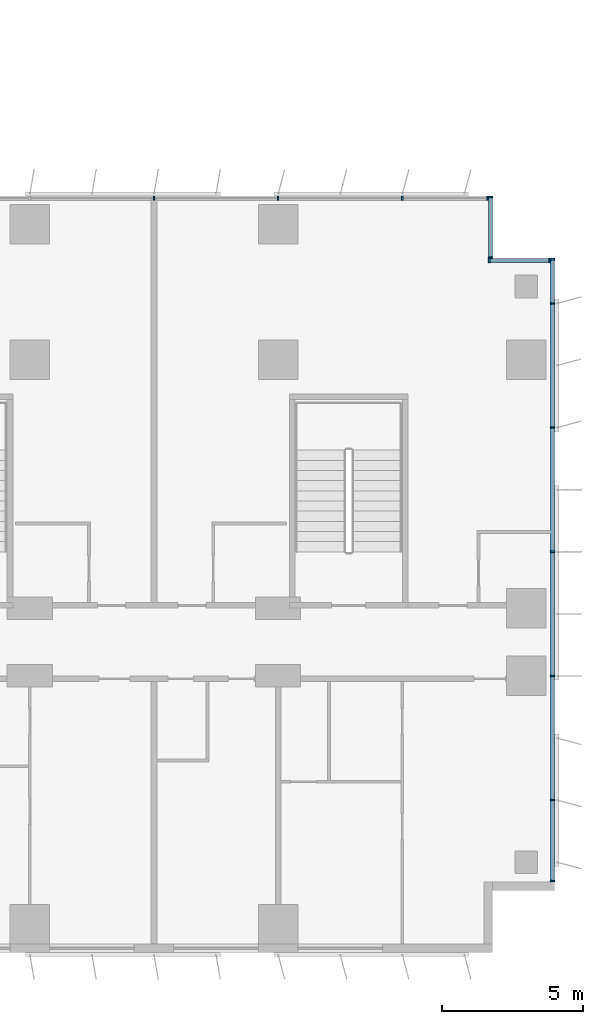
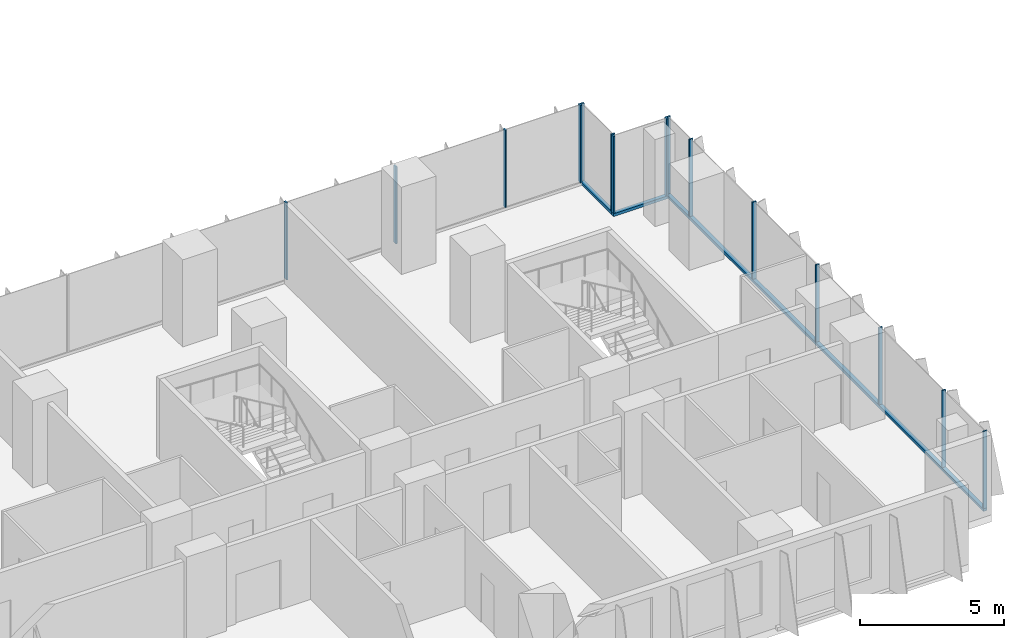
# One storey, part 8 of 24: 18 members, 4 elements without a shape of their own.
"""IFC4 building model written with IfcOpenShell, lengths in metres."""

from ifc_helpers import new_model, si_unit, direction, frame, origin, origin_2d, place, context, subcontext, project, spatial, rectangle, extrude, source, transform, mapped, material, material_profile, profile_set, type_object, element, aggregate, save


model = new_model("IFC4")

# Units and contexts
model_context = context("Model", 3, precision=1e-05, world=origin(), true_north=direction((0.0, 1.0)))
body_context = subcontext(model_context, "Body", "Model", "MODEL_VIEW")
ifc_project = project(units=[si_unit("LENGTHUNIT", "METRE"), si_unit("AREAUNIT", "SQUARE_METRE"), si_unit("VOLUMEUNIT", "CUBIC_METRE"), si_unit("PLANEANGLEUNIT", "RADIAN"), si_unit("MASSUNIT", "GRAM", prefix="KILO")], contexts=[model_context])

# Site, building, storey
site_placement = place(None, origin())
site = spatial("IfcSite", under=ifc_project, at=site_placement, CompositionType="ELEMENT")
building_placement = place(site_placement, origin())
building = spatial("IfcBuilding", under=site, at=building_placement, Name="Kemantara Hotel Tower", CompositionType="ELEMENT")
storey_placement = place(building_placement, frame((0.0, 0.0, 76.0)))
storey = spatial("IfcBuildingStorey", under=building, at=storey_placement, Name="L17", CompositionType="ELEMENT", Elevation=76.0)

# Curtain wall, member
ifc_material_1 = material(Name="Low-E tinted double insulated glass 36 mm", Category="glass")
curtain_wall_type = type_object("IfcCurtainWallType", Name="TOWER CURTAIN WALL, FRONT FACES", PredefinedType="USERDEFINED", material=ifc_material_1)
curtain_wall_1_placement = place(storey_placement, origin())
curtain_wall_1 = element("IfcCurtainWall", 1, at=curtain_wall_1_placement, inside=storey, type_object=curtain_wall_type, Name="CW4 L17 T1-R04-1", ObjectType="TOWER CURTAIN WALL, FRONT FACES", PredefinedType="USERDEFINED")
ifc_material_2 = material(Name="Aluminium 6063-T6 bronze anodised", Category="aluminium")
ifc_material_profile_1 = material_profile(ifc_material_2, rectangle(XDim=0.14990234375, YDim=0.1201171875, at=origin_2d()), Name="TOWER CURTAIN WALL, FRONT FACES TRANSOM")
ifc_profile_set_1 = profile_set([ifc_material_profile_1], Name="Aluminium 6063-T6 bronze anodised")
member_type_1 = type_object("IfcMemberType", Name="TOWER CURTAIN WALL, FRONT FACES TRANSOM", PredefinedType="USERDEFINED", material=ifc_profile_set_1)
member_1_placement = place(storey_placement, frame((81.125, 2.5, 0.06005859375), z_axis=(0.0, 1.0, 0.0), x_axis=(-1.0, 0.0, 0.0)))
member_1 = element("IfcMember", 2, at=member_1_placement, type_object=member_type_1, Name="CW4 sill transom T1-R04-1", ObjectType="TRANSOM", PredefinedType="USERDEFINED", context=body_context, shape_type="SweptSolid", body=[
    extrude(rectangle(XDim=0.14990234375, YDim=0.1201171875, at=origin_2d()), origin(), (0.0, 0.0, 1.0), 22.10009765625),
])

curtain_wall_2_placement = place(storey_placement, origin())
curtain_wall_2 = element("IfcCurtainWall", 3, at=curtain_wall_2_placement, inside=storey, type_object=curtain_wall_type, Name="CW4 L17 T1-R05-1", ObjectType="TOWER CURTAIN WALL, FRONT FACES", PredefinedType="USERDEFINED")
member_2_placement = place(storey_placement, frame((81.050048828125, 24.52490234375, 0.06005859375), z_axis=(-1.0, 0.0, 0.0), x_axis=(0.0, -1.0, 0.0)))
member_2 = element("IfcMember", 4, at=member_2_placement, type_object=member_type_1, Name="CW4 sill transom T1-R05-1", ObjectType="TRANSOM", PredefinedType="USERDEFINED", context=body_context, shape_type="SweptSolid", body=[
    extrude(rectangle(XDim=0.14990234375, YDim=0.1201171875, at=origin_2d()), origin(), (0.0, 0.0, 1.0), 2.199951171875),
])

curtain_wall_3_placement = place(storey_placement, origin())
curtain_wall_3 = element("IfcCurtainWall", 5, at=curtain_wall_3_placement, inside=storey, type_object=curtain_wall_type, Name="CW4 L17 T1-R06-1", ObjectType="TOWER CURTAIN WALL, FRONT FACES", PredefinedType="USERDEFINED")
member_3_placement = place(storey_placement, frame((78.925048828125, 24.60009765625, 0.06005859375), z_axis=(0.0, 1.0, 0.0), x_axis=(-1.0, 0.0, 0.0)))
member_3 = element("IfcMember", 6, at=member_3_placement, type_object=member_type_1, Name="CW4 sill transom T1-R06-1", ObjectType="TRANSOM", PredefinedType="USERDEFINED", context=body_context, shape_type="SweptSolid", body=[
    extrude(rectangle(XDim=0.14990234375, YDim=0.1201171875, at=origin_2d()), origin(), (0.0, 0.0, 1.0), 2.199951171875),
])

# Member
ifc_material_profile_2 = material_profile(ifc_material_2, rectangle(XDim=0.14990234375, YDim=0.06005859375, at=origin_2d()), Name="TOWER CURTAIN WALL, FRONT FACES MULLION")
ifc_profile_set_2 = profile_set([ifc_material_profile_2], Name="Aluminium 6063-T6 bronze anodised")
member_type_2 = type_object("IfcMemberType", Name="TOWER CURTAIN WALL, FRONT FACES MULLION", PredefinedType="MULLION", material=ifc_profile_set_2)
shared_shape = source(origin(), body_context, "Body", "SweptSolid", [
    extrude(rectangle(XDim=0.14990234375, YDim=0.06005859375, at=origin_2d()), origin(), (0.0, 0.0, 1.0), 3.27978515625),
])
member_4_placement = place(storey_placement, frame((81.125, 2.530029296875, 0.1201171875), z_axis=(0.0, 0.0, 1.0), x_axis=(-1.0, 0.0, 0.0)))
member_4 = element("IfcMember", 7, at=member_4_placement, type_object=member_type_2, Name="CW4 mullion T1-R04-1.1", PredefinedType="MULLION", context=body_context, shape_type="MappedRepresentation", body=[
    mapped(shared_shape, transform((0.0, 0.0, 0.0))),
])

member_5_placement = place(storey_placement, frame((81.125, 5.39990234375, 0.1201171875), z_axis=(0.0, 0.0, 1.0), x_axis=(-1.0, 0.0, 0.0)))
member_5 = element("IfcMember", 8, at=member_5_placement, type_object=member_type_2, Name="CW4 mullion T1-R04-1.2", PredefinedType="MULLION", context=body_context, shape_type="MappedRepresentation", body=[
    mapped(shared_shape, transform((0.0, 0.0, 0.0))),
])

member_6_placement = place(storey_placement, frame((81.125, 9.800048828125, 0.1201171875), z_axis=(0.0, 0.0, 1.0), x_axis=(-1.0, 0.0, 0.0)))
member_6 = element("IfcMember", 9, at=member_6_placement, type_object=member_type_2, Name="CW4 mullion T1-R04-1.3", PredefinedType="MULLION", context=body_context, shape_type="MappedRepresentation", body=[
    mapped(shared_shape, transform((0.0, 0.0, 0.0))),
])

member_7_placement = place(storey_placement, frame((81.125, 14.199951171875, 0.1201171875), z_axis=(0.0, 0.0, 1.0), x_axis=(-1.0, 0.0, 0.0)))
member_7 = element("IfcMember", 10, at=member_7_placement, type_object=member_type_2, Name="CW4 mullion T1-R04-1.4", PredefinedType="MULLION", context=body_context, shape_type="MappedRepresentation", body=[
    mapped(shared_shape, transform((0.0, 0.0, 0.0))),
])

member_8_placement = place(storey_placement, frame((81.125, 18.60009765625, 0.1201171875), z_axis=(0.0, 0.0, 1.0), x_axis=(-1.0, 0.0, 0.0)))
member_8 = element("IfcMember", 11, at=member_8_placement, type_object=member_type_2, Name="CW4 mullion T1-R04-1.5", PredefinedType="MULLION", context=body_context, shape_type="MappedRepresentation", body=[
    mapped(shared_shape, transform((0.0, 0.0, 0.0))),
])

member_9_placement = place(storey_placement, frame((81.125, 23.0, 0.1201171875), z_axis=(0.0, 0.0, 1.0), x_axis=(-1.0, 0.0, 0.0)))
member_9 = element("IfcMember", 12, at=member_9_placement, type_object=member_type_2, Name="CW4 mullion T1-R04-1.6", PredefinedType="MULLION", context=body_context, shape_type="MappedRepresentation", body=[
    mapped(shared_shape, transform((0.0, 0.0, 0.0))),
])

member_10_placement = place(storey_placement, frame((81.125, 24.570068359375, 0.1201171875), z_axis=(0.0, 0.0, 1.0), x_axis=(-1.0, 0.0, 0.0)))
member_10 = element("IfcMember", 13, at=member_10_placement, type_object=member_type_2, Name="CW4 mullion T1-R04-1.7", PredefinedType="MULLION", context=body_context, shape_type="MappedRepresentation", body=[
    mapped(shared_shape, transform((0.0, 0.0, 0.0))),
])

aggregate(curtain_wall_1, [member_1, member_4, member_5, member_6, member_7, member_8, member_9, member_10])

# Curtain wall, members
curtain_wall_4_placement = place(storey_placement, origin())
curtain_wall_4 = element("IfcCurtainWall", 14, at=curtain_wall_4_placement, inside=storey, type_object=curtain_wall_type, Name="CW4 L17 T1-R07-1", ObjectType="TOWER CURTAIN WALL, FRONT FACES", PredefinedType="USERDEFINED")
member_11_placement = place(storey_placement, frame((78.820068359375, 26.72509765625, 0.1201171875), z_axis=(0.0, 0.0, 1.0), x_axis=(0.0, -1.0, 0.0)))
member_11 = element("IfcMember", 15, at=member_11_placement, type_object=member_type_2, Name="CW4 mullion T1-R07-1.1", PredefinedType="MULLION", context=body_context, shape_type="MappedRepresentation", body=[
    mapped(shared_shape, transform((0.0, 0.0, 0.0))),
])
member_12_placement = place(storey_placement, frame((75.800048828125, 26.72509765625, 0.1201171875), z_axis=(0.0, 0.0, 1.0), x_axis=(0.0, -1.0, 0.0)))
member_12 = element("IfcMember", 16, at=member_12_placement, type_object=member_type_2, Name="CW4 mullion T1-R07-1.2", PredefinedType="MULLION", context=body_context, shape_type="MappedRepresentation", body=[
    mapped(shared_shape, transform((0.0, 0.0, 0.0))),
])
member_13_placement = place(storey_placement, frame((71.39990234375, 26.72509765625, 0.1201171875), z_axis=(0.0, 0.0, 1.0), x_axis=(0.0, -1.0, 0.0)))
member_13 = element("IfcMember", 17, at=member_13_placement, type_object=member_type_2, Name="CW4 mullion T1-R07-1.3", PredefinedType="MULLION", context=body_context, shape_type="MappedRepresentation", body=[
    mapped(shared_shape, transform((0.0, 0.0, 0.0))),
])
member_14_placement = place(storey_placement, frame((67.0, 26.72509765625, 0.1201171875), z_axis=(0.0, 0.0, 1.0), x_axis=(0.0, -1.0, 0.0)))
member_14 = element("IfcMember", 18, at=member_14_placement, type_object=member_type_2, Name="CW4 mullion T1-R07-1.4", PredefinedType="MULLION", context=body_context, shape_type="MappedRepresentation", body=[
    mapped(shared_shape, transform((0.0, 0.0, 0.0))),
])
aggregate(curtain_wall_4, [member_11, member_12, member_13, member_14])

# Member
member_15_placement = place(storey_placement, frame((81.02001953125, 24.52490234375, 0.1201171875), z_axis=(0.0, 0.0, 1.0), x_axis=(0.0, -1.0, 0.0)))
member_15 = element("IfcMember", 19, at=member_15_placement, type_object=member_type_2, Name="CW4 mullion T1-R05-1.1", PredefinedType="MULLION", context=body_context, shape_type="MappedRepresentation", body=[
    mapped(shared_shape, transform((0.0, 0.0, 0.0))),
])

member_16_placement = place(storey_placement, frame((78.8798828125, 24.52490234375, 0.1201171875), z_axis=(0.0, 0.0, 1.0), x_axis=(0.0, -1.0, 0.0)))
member_16 = element("IfcMember", 20, at=member_16_placement, type_object=member_type_2, Name="CW4 mullion T1-R05-1.2", PredefinedType="MULLION", context=body_context, shape_type="MappedRepresentation", body=[
    mapped(shared_shape, transform((0.0, 0.0, 0.0))),
])

aggregate(curtain_wall_2, [member_2, member_15, member_16])

member_17_placement = place(storey_placement, frame((78.925048828125, 24.6298828125, 0.1201171875), z_axis=(0.0, 0.0, 1.0), x_axis=(-1.0, 0.0, 0.0)))
member_17 = element("IfcMember", 21, at=member_17_placement, type_object=member_type_2, Name="CW4 mullion T1-R06-1.1", PredefinedType="MULLION", context=body_context, shape_type="MappedRepresentation", body=[
    mapped(shared_shape, transform((0.0, 0.0, 0.0))),
])

member_18_placement = place(storey_placement, frame((78.925048828125, 26.77001953125, 0.1201171875), z_axis=(0.0, 0.0, 1.0), x_axis=(-1.0, 0.0, 0.0)))
member_18 = element("IfcMember", 22, at=member_18_placement, type_object=member_type_2, Name="CW4 mullion T1-R06-1.2", PredefinedType="MULLION", context=body_context, shape_type="MappedRepresentation", body=[
    mapped(shared_shape, transform((0.0, 0.0, 0.0))),
])

aggregate(curtain_wall_3, [member_3, member_17, member_18])

save(model, "model.ifc")
